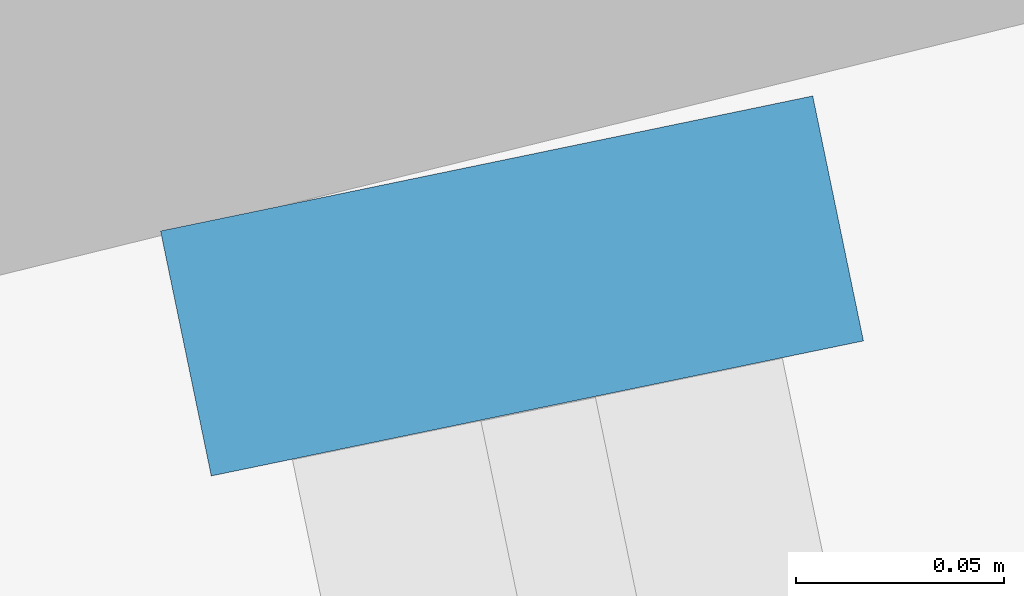
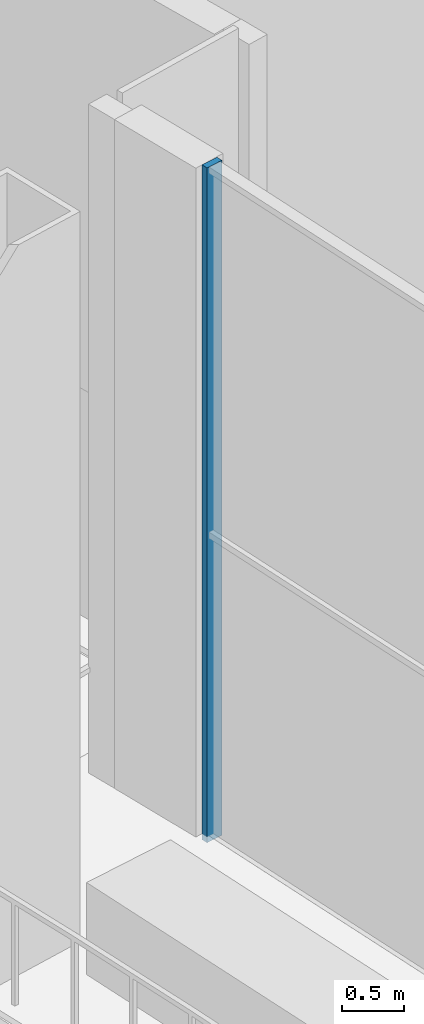
# One storey, part 10 of 24: 1 member, 1 element without a shape of its own.
"""IFC4 building model written with IfcOpenShell, lengths in metres."""

from ifc_helpers import new_model, si_unit, direction, frame, origin, origin_2d, place, context, subcontext, project, spatial, rectangle, extrude, material, layer, layer_set, material_profile, profile_set, type_object, element, aggregate, save


model = new_model("IFC4")

# Units and contexts
model_context = context("Model", 3, precision=1e-05, world=origin(), true_north=direction((0.0, 1.0)))
body_context = subcontext(model_context, "Body", "Model", "MODEL_VIEW")
ifc_project = project(units=[si_unit("LENGTHUNIT", "METRE"), si_unit("AREAUNIT", "SQUARE_METRE"), si_unit("VOLUMEUNIT", "CUBIC_METRE"), si_unit("PLANEANGLEUNIT", "RADIAN"), si_unit("MASSUNIT", "GRAM", prefix="KILO")], contexts=[model_context])

# Site, building, storey
site_placement = place(None, origin())
site = spatial("IfcSite", under=ifc_project, at=site_placement, CompositionType="ELEMENT")
building_placement = place(site_placement, origin())
building = spatial("IfcBuilding", under=site, at=building_placement, Name="Alderwake Tower", CompositionType="ELEMENT")
storey_placement = place(building_placement, frame((0.0, 0.0, 232.39990234375)))
storey = spatial("IfcBuildingStorey", under=building, at=storey_placement, Name="L58", CompositionType="ELEMENT", Elevation=232.39990234375)

# Curtain wall, member
ifc_material_1 = material(Name="Bronze tinted glass in aluminium frame", Category="aluminium")
ifc_layer = layer(ifc_material_1, 0.199951171875)
ifc_layer_set = layer_set([ifc_layer], Name="Curtain wall CW3 sky garden glazing")
curtain_wall_type = type_object("IfcCurtainWallType", Name="Curtain wall CW3 sky garden glazing", PredefinedType="NOTDEFINED", material=ifc_layer_set)
curtain_wall_placement = place(storey_placement, origin())
curtain_wall = element("IfcCurtainWall", 1, at=curtain_wall_placement, inside=storey, type_object=curtain_wall_type, Name="Curtain wall 1", PredefinedType="NOTDEFINED")
ifc_material_2 = material(Name="Aluminium bronze anodised", Category="aluminium")
ifc_material_profile = material_profile(ifc_material_2, rectangle(XDim=0.159912109375, YDim=0.06005859375, at=origin_2d()), Name="Mullion MUC 60x160")
ifc_profile_set = profile_set([ifc_material_profile], Name="Aluminium bronze anodised")
member_type = type_object("IfcMemberType", Name="Mullion MUC 60x160", PredefinedType="MULLION", material=ifc_profile_set)
member_placement = place(storey_placement, frame((16.27490234375, 83.8486328125, 0.0), z_axis=(0.0, 0.0, 1.0), x_axis=(0.979230258951, 0.202751325409, 0.0)))
member = element("IfcMember", 2, at=member_placement, type_object=member_type, Name="CW.01 mullion 1", PredefinedType="MULLION", context=body_context, shape_type="SweptSolid", body=[
    extrude(rectangle(XDim=0.159912109375, YDim=0.06005859375, at=origin_2d()), origin(), (0.0, 0.0, 1.0), 6.60009765625),
])
aggregate(curtain_wall, [member])

save(model, "model.ifc")
